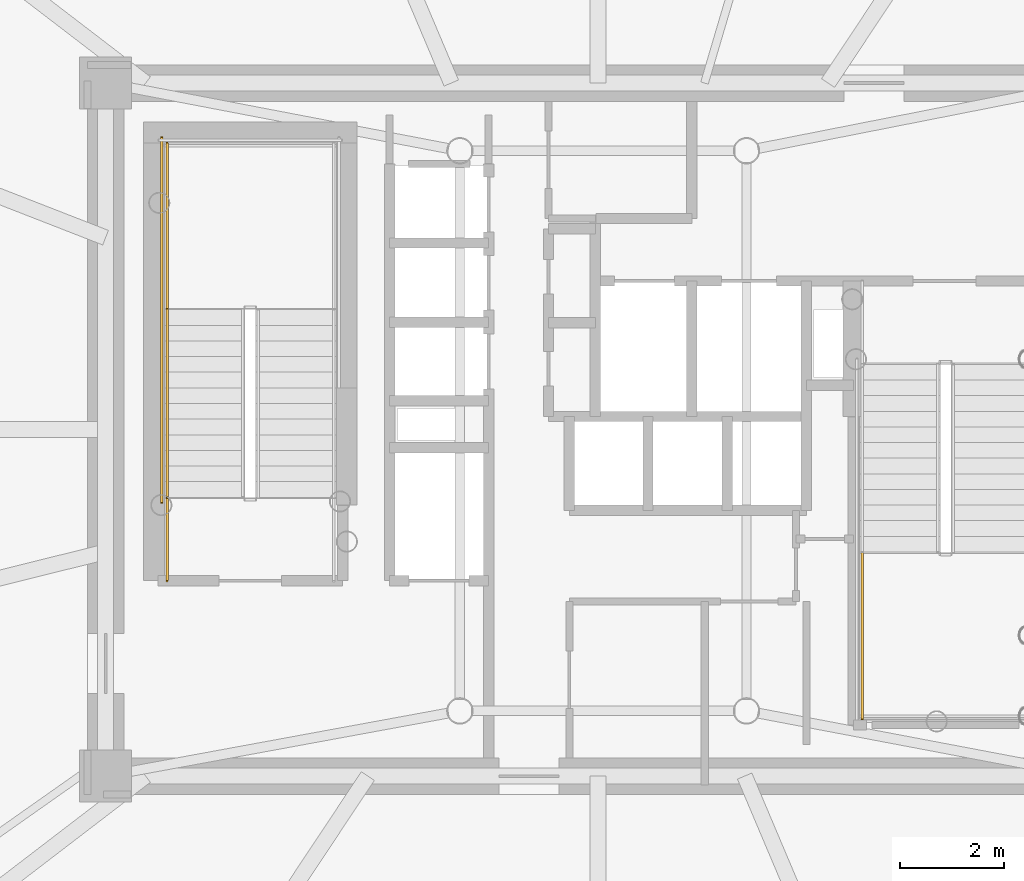
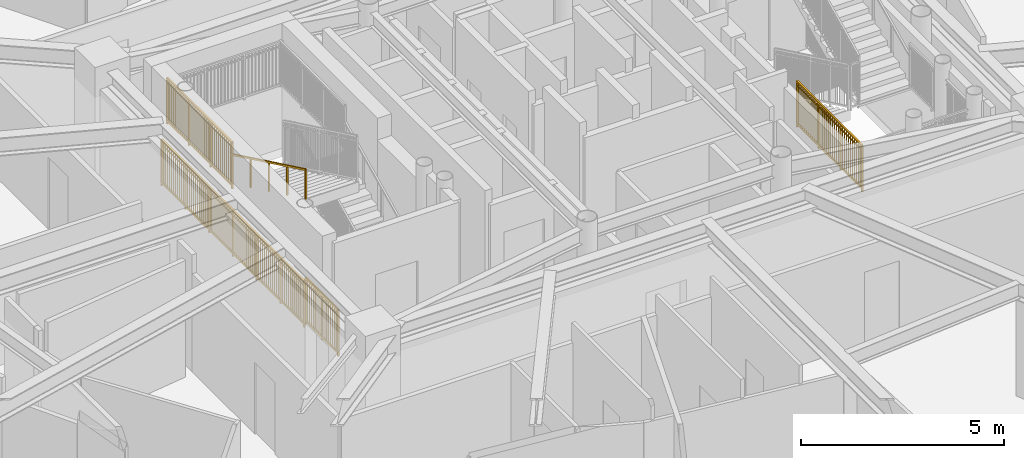
# One storey, part 14 of 19: 5 railings.
"""IFC4 building model written with IfcOpenShell, lengths in metres."""

from ifc_helpers import new_model, si_unit, direction, frame, origin, origin_2d, place, context, subcontext, project, spatial, rectangle, extrude, source, transform, mapped, material, type_object, element, save


model = new_model("IFC4")

# Units and contexts
model_context = context("Model", 3, precision=1e-05, world=origin(), true_north=direction((0.0, 1.0)))
body_context = subcontext(model_context, "Body", "Model", "MODEL_VIEW")
ifc_project = project(units=[si_unit("LENGTHUNIT", "METRE"), si_unit("AREAUNIT", "SQUARE_METRE"), si_unit("VOLUMEUNIT", "CUBIC_METRE"), si_unit("PLANEANGLEUNIT", "RADIAN"), si_unit("MASSUNIT", "GRAM", prefix="KILO")], contexts=[model_context])

# Site, building, storey
site_placement = place(None, origin())
site = spatial("IfcSite", under=ifc_project, at=site_placement, CompositionType="ELEMENT")
building_placement = place(site_placement, origin())
building = spatial("IfcBuilding", under=site, at=building_placement, Name="Linh Dai School and Residence Tower", CompositionType="ELEMENT")
storey_placement = place(building_placement, frame((0.0, 0.0, 236.550048828125)))
storey = spatial("IfcBuildingStorey", under=building, at=storey_placement, Name="L58", CompositionType="ELEMENT", Elevation=236.550048828125)

# Railings
ifc_material_1 = material(Name="Structural Steel S355JR", Category="steel")
railing_type_1 = type_object("IfcRailingType", Name="RL-ST-GUARD-1400", PredefinedType="GUARDRAIL", material=ifc_material_1)
shared_shape_1 = source(origin(), body_context, "Body", "SweptSolid", [
    extrude(rectangle(XDim=0.048095703125, YDim=0.048095703125, at=origin_2d()), frame((0.0, 0.0, 1.3759765625), z_axis=(0.0, 1.0, 0.0), x_axis=(-1.0, 0.0, 0.0)), (0.0, 0.0, 1.0), 1.599853515625),
    extrude(rectangle(XDim=0.048095703125, YDim=0.048095703125, at=origin_2d()), frame((0.0, 0.0, 0.10009765625), z_axis=(0.0, 1.0, 0.0), x_axis=(-1.0, 0.0, 0.0)), (0.0, 0.0, 1.0), 1.599853515625),
    extrude(rectangle(XDim=0.030029296875, YDim=0.030029296875, at=origin_2d()), frame((0.0, 0.0, 1.239990234375), z_axis=(0.0, 1.0, 0.0), x_axis=(-1.0, 0.0, 0.0)), (0.0, 0.0, 1.0), 1.599853515625),
    extrude(rectangle(XDim=0.02001953125, YDim=0.02001953125, at=origin_2d()), frame((0.0, 0.093994140625, 0.10009765625)), (0.0, 0.0, 1.0), 1.251708984375),
    extrude(rectangle(XDim=0.02001953125, YDim=0.02001953125, at=origin_2d()), frame((0.0, 0.188232421875, 0.10009765625)), (0.0, 0.0, 1.0), 1.251708984375),
    extrude(rectangle(XDim=0.02001953125, YDim=0.02001953125, at=origin_2d()), frame((0.0, 0.2822265625, 0.10009765625)), (0.0, 0.0, 1.0), 1.251708984375),
    extrude(rectangle(XDim=0.02001953125, YDim=0.02001953125, at=origin_2d()), frame((0.0, 0.37646484375, 0.10009765625)), (0.0, 0.0, 1.0), 1.251708984375),
    extrude(rectangle(XDim=0.02001953125, YDim=0.02001953125, at=origin_2d()), frame((0.0, 0.470458984375, 0.10009765625)), (0.0, 0.0, 1.0), 1.251708984375),
    extrude(rectangle(XDim=0.02001953125, YDim=0.02001953125, at=origin_2d()), frame((0.0, 0.564697265625, 0.10009765625)), (0.0, 0.0, 1.0), 1.251708984375),
    extrude(rectangle(XDim=0.02001953125, YDim=0.02001953125, at=origin_2d()), frame((0.0, 0.65869140625, 0.10009765625)), (0.0, 0.0, 1.0), 1.251708984375),
    extrude(rectangle(XDim=0.02001953125, YDim=0.02001953125, at=origin_2d()), frame((0.0, 0.7529296875, 0.10009765625)), (0.0, 0.0, 1.0), 1.251708984375),
    extrude(rectangle(XDim=0.02001953125, YDim=0.02001953125, at=origin_2d()), frame((0.0, 0.846923828125, 0.10009765625)), (0.0, 0.0, 1.0), 1.251708984375),
    extrude(rectangle(XDim=0.02001953125, YDim=0.02001953125, at=origin_2d()), frame((0.0, 0.941162109375, 0.10009765625)), (0.0, 0.0, 1.0), 1.251708984375),
    extrude(rectangle(XDim=0.02001953125, YDim=0.02001953125, at=origin_2d()), frame((0.0, 1.03515625, 0.10009765625)), (0.0, 0.0, 1.0), 1.251708984375),
    extrude(rectangle(XDim=0.02001953125, YDim=0.02001953125, at=origin_2d()), frame((0.0, 1.12939453125, 0.10009765625)), (0.0, 0.0, 1.0), 1.251708984375),
    extrude(rectangle(XDim=0.02001953125, YDim=0.02001953125, at=origin_2d()), frame((0.0, 1.223388671875, 0.10009765625)), (0.0, 0.0, 1.0), 1.251708984375),
    extrude(rectangle(XDim=0.02001953125, YDim=0.02001953125, at=origin_2d()), frame((0.0, 1.317626953125, 0.10009765625)), (0.0, 0.0, 1.0), 1.251708984375),
    extrude(rectangle(XDim=0.02001953125, YDim=0.02001953125, at=origin_2d()), frame((0.0, 1.41162109375, 0.10009765625)), (0.0, 0.0, 1.0), 1.251708984375),
    extrude(rectangle(XDim=0.02001953125, YDim=0.02001953125, at=origin_2d()), frame((0.0, 1.505859375, 0.10009765625)), (0.0, 0.0, 1.0), 1.251708984375),
    extrude(rectangle(XDim=0.0419921875, YDim=0.0419921875, at=origin_2d()), origin(), (0.0, 0.0, 1.0), 1.3759765625),
    extrude(rectangle(XDim=0.0419921875, YDim=0.0419921875, at=origin_2d()), frame((0.0, 0.7998046875, 0.0)), (0.0, 0.0, 1.0), 1.3759765625),
    extrude(rectangle(XDim=0.0419921875, YDim=0.0419921875, at=origin_2d()), frame((0.0, 1.599853515625, 0.0)), (0.0, 0.0, 1.0), 1.3759765625),
])
railing_1_placement = place(storey_placement, frame((27.72998046875, 24.10009765625, 0.0)))
element("IfcRailing", 1, at=railing_1_placement, inside=storey, type_object=railing_type_1, Name="L58 ST1 stair guard 9", PredefinedType="GUARDRAIL", context=body_context, shape_type="MappedRepresentation", body=[
    mapped(shared_shape_1, transform((0.0, 0.0, 0.0), x_axis=(1.0, 0.0, 0.0), y_axis=(0.0, 1.0, 0.0), z_axis=(0.0, 0.0, 1.0), scale=1.0)),
])
shared_shape_2 = source(origin(), body_context, "Body", "SweptSolid", [
    extrude(rectangle(XDim=0.048095703125, YDim=0.048095703125, at=origin_2d()), frame((0.0, 0.0, 1.3759765625), z_axis=(0.0, 1.0, 0.0), x_axis=(-1.0, 0.0, 0.0)), (0.0, 0.0, 1.0), 7.0),
    extrude(rectangle(XDim=0.048095703125, YDim=0.048095703125, at=origin_2d()), frame((0.0, 0.0, 0.10009765625), z_axis=(0.0, 1.0, 0.0), x_axis=(-1.0, 0.0, 0.0)), (0.0, 0.0, 1.0), 7.0),
    extrude(rectangle(XDim=0.030029296875, YDim=0.030029296875, at=origin_2d()), frame((0.0, 0.0, 1.239990234375), z_axis=(0.0, 1.0, 0.0), x_axis=(-1.0, 0.0, 0.0)), (0.0, 0.0, 1.0), 7.0),
    extrude(rectangle(XDim=0.02001953125, YDim=0.02001953125, at=origin_2d()), frame((0.0, 0.09716796875, 0.10009765625)), (0.0, 0.0, 1.0), 1.251708984375),
    extrude(rectangle(XDim=0.02001953125, YDim=0.02001953125, at=origin_2d()), frame((0.0, 0.1943359375, 0.10009765625)), (0.0, 0.0, 1.0), 1.251708984375),
    extrude(rectangle(XDim=0.02001953125, YDim=0.02001953125, at=origin_2d()), frame((0.0, 0.291748046875, 0.10009765625)), (0.0, 0.0, 1.0), 1.251708984375),
    extrude(rectangle(XDim=0.02001953125, YDim=0.02001953125, at=origin_2d()), frame((0.0, 0.388916015625, 0.10009765625)), (0.0, 0.0, 1.0), 1.251708984375),
    extrude(rectangle(XDim=0.02001953125, YDim=0.02001953125, at=origin_2d()), frame((0.0, 0.486083984375, 0.10009765625)), (0.0, 0.0, 1.0), 1.251708984375),
    extrude(rectangle(XDim=0.02001953125, YDim=0.02001953125, at=origin_2d()), frame((0.0, 0.583251953125, 0.10009765625)), (0.0, 0.0, 1.0), 1.251708984375),
    extrude(rectangle(XDim=0.02001953125, YDim=0.02001953125, at=origin_2d()), frame((0.0, 0.6806640625, 0.10009765625)), (0.0, 0.0, 1.0), 1.251708984375),
    extrude(rectangle(XDim=0.02001953125, YDim=0.02001953125, at=origin_2d()), frame((0.0, 0.77783203125, 0.10009765625)), (0.0, 0.0, 1.0), 1.251708984375),
    extrude(rectangle(XDim=0.02001953125, YDim=0.02001953125, at=origin_2d()), frame((0.0, 0.875, 0.10009765625)), (0.0, 0.0, 1.0), 1.251708984375),
    extrude(rectangle(XDim=0.02001953125, YDim=0.02001953125, at=origin_2d()), frame((0.0, 0.97216796875, 0.10009765625)), (0.0, 0.0, 1.0), 1.251708984375),
    extrude(rectangle(XDim=0.02001953125, YDim=0.02001953125, at=origin_2d()), frame((0.0, 1.0693359375, 0.10009765625)), (0.0, 0.0, 1.0), 1.251708984375),
    extrude(rectangle(XDim=0.02001953125, YDim=0.02001953125, at=origin_2d()), frame((0.0, 1.263916015625, 0.10009765625)), (0.0, 0.0, 1.0), 1.251708984375),
    extrude(rectangle(XDim=0.02001953125, YDim=0.02001953125, at=origin_2d()), frame((0.0, 1.361083984375, 0.10009765625)), (0.0, 0.0, 1.0), 1.251708984375),
    extrude(rectangle(XDim=0.02001953125, YDim=0.02001953125, at=origin_2d()), frame((0.0, 1.458251953125, 0.10009765625)), (0.0, 0.0, 1.0), 1.251708984375),
    extrude(rectangle(XDim=0.02001953125, YDim=0.02001953125, at=origin_2d()), frame((0.0, 1.5556640625, 0.10009765625)), (0.0, 0.0, 1.0), 1.251708984375),
    extrude(rectangle(XDim=0.02001953125, YDim=0.02001953125, at=origin_2d()), frame((0.0, 1.65283203125, 0.10009765625)), (0.0, 0.0, 1.0), 1.251708984375),
    extrude(rectangle(XDim=0.02001953125, YDim=0.02001953125, at=origin_2d()), frame((0.0, 1.75, 0.10009765625)), (0.0, 0.0, 1.0), 1.251708984375),
    extrude(rectangle(XDim=0.02001953125, YDim=0.02001953125, at=origin_2d()), frame((0.0, 1.84716796875, 0.10009765625)), (0.0, 0.0, 1.0), 1.251708984375),
    extrude(rectangle(XDim=0.02001953125, YDim=0.02001953125, at=origin_2d()), frame((0.0, 1.9443359375, 0.10009765625)), (0.0, 0.0, 1.0), 1.251708984375),
    extrude(rectangle(XDim=0.02001953125, YDim=0.02001953125, at=origin_2d()), frame((0.0, 2.041748046875, 0.10009765625)), (0.0, 0.0, 1.0), 1.251708984375),
    extrude(rectangle(XDim=0.02001953125, YDim=0.02001953125, at=origin_2d()), frame((0.0, 2.138916015625, 0.10009765625)), (0.0, 0.0, 1.0), 1.251708984375),
    extrude(rectangle(XDim=0.02001953125, YDim=0.02001953125, at=origin_2d()), frame((0.0, 2.236083984375, 0.10009765625)), (0.0, 0.0, 1.0), 1.251708984375),
    extrude(rectangle(XDim=0.02001953125, YDim=0.02001953125, at=origin_2d()), frame((0.0, 2.4306640625, 0.10009765625)), (0.0, 0.0, 1.0), 1.251708984375),
    extrude(rectangle(XDim=0.02001953125, YDim=0.02001953125, at=origin_2d()), frame((0.0, 2.52783203125, 0.10009765625)), (0.0, 0.0, 1.0), 1.251708984375),
    extrude(rectangle(XDim=0.02001953125, YDim=0.02001953125, at=origin_2d()), frame((0.0, 2.625, 0.10009765625)), (0.0, 0.0, 1.0), 1.251708984375),
    extrude(rectangle(XDim=0.02001953125, YDim=0.02001953125, at=origin_2d()), frame((0.0, 2.72216796875, 0.10009765625)), (0.0, 0.0, 1.0), 1.251708984375),
    extrude(rectangle(XDim=0.02001953125, YDim=0.02001953125, at=origin_2d()), frame((0.0, 2.8193359375, 0.10009765625)), (0.0, 0.0, 1.0), 1.251708984375),
    extrude(rectangle(XDim=0.02001953125, YDim=0.02001953125, at=origin_2d()), frame((0.0, 2.916748046875, 0.10009765625)), (0.0, 0.0, 1.0), 1.251708984375),
    extrude(rectangle(XDim=0.02001953125, YDim=0.02001953125, at=origin_2d()), frame((0.0, 3.013916015625, 0.10009765625)), (0.0, 0.0, 1.0), 1.251708984375),
    extrude(rectangle(XDim=0.02001953125, YDim=0.02001953125, at=origin_2d()), frame((0.0, 3.111083984375, 0.10009765625)), (0.0, 0.0, 1.0), 1.251708984375),
    extrude(rectangle(XDim=0.02001953125, YDim=0.02001953125, at=origin_2d()), frame((0.0, 3.208251953125, 0.10009765625)), (0.0, 0.0, 1.0), 1.251708984375),
    extrude(rectangle(XDim=0.02001953125, YDim=0.02001953125, at=origin_2d()), frame((0.0, 3.3056640625, 0.10009765625)), (0.0, 0.0, 1.0), 1.251708984375),
    extrude(rectangle(XDim=0.02001953125, YDim=0.02001953125, at=origin_2d()), frame((0.0, 3.40283203125, 0.10009765625)), (0.0, 0.0, 1.0), 1.251708984375),
    extrude(rectangle(XDim=0.02001953125, YDim=0.02001953125, at=origin_2d()), frame((0.0, 3.59716796875, 0.10009765625)), (0.0, 0.0, 1.0), 1.251708984375),
    extrude(rectangle(XDim=0.02001953125, YDim=0.02001953125, at=origin_2d()), frame((0.0, 3.6943359375, 0.10009765625)), (0.0, 0.0, 1.0), 1.251708984375),
    extrude(rectangle(XDim=0.02001953125, YDim=0.02001953125, at=origin_2d()), frame((0.0, 3.791748046875, 0.10009765625)), (0.0, 0.0, 1.0), 1.251708984375),
    extrude(rectangle(XDim=0.02001953125, YDim=0.02001953125, at=origin_2d()), frame((0.0, 3.888916015625, 0.10009765625)), (0.0, 0.0, 1.0), 1.251708984375),
    extrude(rectangle(XDim=0.02001953125, YDim=0.02001953125, at=origin_2d()), frame((0.0, 3.986083984375, 0.10009765625)), (0.0, 0.0, 1.0), 1.251708984375),
    extrude(rectangle(XDim=0.02001953125, YDim=0.02001953125, at=origin_2d()), frame((0.0, 4.083251953125, 0.10009765625)), (0.0, 0.0, 1.0), 1.251708984375),
    extrude(rectangle(XDim=0.02001953125, YDim=0.02001953125, at=origin_2d()), frame((0.0, 4.1806640625, 0.10009765625)), (0.0, 0.0, 1.0), 1.251708984375),
    extrude(rectangle(XDim=0.02001953125, YDim=0.02001953125, at=origin_2d()), frame((0.0, 4.27783203125, 0.10009765625)), (0.0, 0.0, 1.0), 1.251708984375),
    extrude(rectangle(XDim=0.02001953125, YDim=0.02001953125, at=origin_2d()), frame((0.0, 4.375, 0.10009765625)), (0.0, 0.0, 1.0), 1.251708984375),
    extrude(rectangle(XDim=0.02001953125, YDim=0.02001953125, at=origin_2d()), frame((0.0, 4.47216796875, 0.10009765625)), (0.0, 0.0, 1.0), 1.251708984375),
    extrude(rectangle(XDim=0.02001953125, YDim=0.02001953125, at=origin_2d()), frame((0.0, 4.5693359375, 0.10009765625)), (0.0, 0.0, 1.0), 1.251708984375),
    extrude(rectangle(XDim=0.02001953125, YDim=0.02001953125, at=origin_2d()), frame((0.0, 4.763916015625, 0.10009765625)), (0.0, 0.0, 1.0), 1.251708984375),
    extrude(rectangle(XDim=0.02001953125, YDim=0.02001953125, at=origin_2d()), frame((0.0, 4.861083984375, 0.10009765625)), (0.0, 0.0, 1.0), 1.251708984375),
    extrude(rectangle(XDim=0.02001953125, YDim=0.02001953125, at=origin_2d()), frame((0.0, 4.958251953125, 0.10009765625)), (0.0, 0.0, 1.0), 1.251708984375),
    extrude(rectangle(XDim=0.02001953125, YDim=0.02001953125, at=origin_2d()), frame((0.0, 5.0556640625, 0.10009765625)), (0.0, 0.0, 1.0), 1.251708984375),
    extrude(rectangle(XDim=0.02001953125, YDim=0.02001953125, at=origin_2d()), frame((0.0, 5.15283203125, 0.10009765625)), (0.0, 0.0, 1.0), 1.251708984375),
    extrude(rectangle(XDim=0.02001953125, YDim=0.02001953125, at=origin_2d()), frame((0.0, 5.25, 0.10009765625)), (0.0, 0.0, 1.0), 1.251708984375),
    extrude(rectangle(XDim=0.02001953125, YDim=0.02001953125, at=origin_2d()), frame((0.0, 5.34716796875, 0.10009765625)), (0.0, 0.0, 1.0), 1.251708984375),
    extrude(rectangle(XDim=0.02001953125, YDim=0.02001953125, at=origin_2d()), frame((0.0, 5.4443359375, 0.10009765625)), (0.0, 0.0, 1.0), 1.251708984375),
    extrude(rectangle(XDim=0.02001953125, YDim=0.02001953125, at=origin_2d()), frame((0.0, 5.541748046875, 0.10009765625)), (0.0, 0.0, 1.0), 1.251708984375),
    extrude(rectangle(XDim=0.02001953125, YDim=0.02001953125, at=origin_2d()), frame((0.0, 5.638916015625, 0.10009765625)), (0.0, 0.0, 1.0), 1.251708984375),
    extrude(rectangle(XDim=0.02001953125, YDim=0.02001953125, at=origin_2d()), frame((0.0, 5.736083984375, 0.10009765625)), (0.0, 0.0, 1.0), 1.251708984375),
    extrude(rectangle(XDim=0.02001953125, YDim=0.02001953125, at=origin_2d()), frame((0.0, 5.9306640625, 0.10009765625)), (0.0, 0.0, 1.0), 1.251708984375),
    extrude(rectangle(XDim=0.02001953125, YDim=0.02001953125, at=origin_2d()), frame((0.0, 6.02783203125, 0.10009765625)), (0.0, 0.0, 1.0), 1.251708984375),
    extrude(rectangle(XDim=0.02001953125, YDim=0.02001953125, at=origin_2d()), frame((0.0, 6.125, 0.10009765625)), (0.0, 0.0, 1.0), 1.251708984375),
    extrude(rectangle(XDim=0.02001953125, YDim=0.02001953125, at=origin_2d()), frame((0.0, 6.22216796875, 0.10009765625)), (0.0, 0.0, 1.0), 1.251708984375),
    extrude(rectangle(XDim=0.02001953125, YDim=0.02001953125, at=origin_2d()), frame((0.0, 6.3193359375, 0.10009765625)), (0.0, 0.0, 1.0), 1.251708984375),
    extrude(rectangle(XDim=0.02001953125, YDim=0.02001953125, at=origin_2d()), frame((0.0, 6.416748046875, 0.10009765625)), (0.0, 0.0, 1.0), 1.251708984375),
    extrude(rectangle(XDim=0.02001953125, YDim=0.02001953125, at=origin_2d()), frame((0.0, 6.513916015625, 0.10009765625)), (0.0, 0.0, 1.0), 1.251708984375),
    extrude(rectangle(XDim=0.02001953125, YDim=0.02001953125, at=origin_2d()), frame((0.0, 6.611083984375, 0.10009765625)), (0.0, 0.0, 1.0), 1.251708984375),
    extrude(rectangle(XDim=0.02001953125, YDim=0.02001953125, at=origin_2d()), frame((0.0, 6.708251953125, 0.10009765625)), (0.0, 0.0, 1.0), 1.251708984375),
    extrude(rectangle(XDim=0.02001953125, YDim=0.02001953125, at=origin_2d()), frame((0.0, 6.8056640625, 0.10009765625)), (0.0, 0.0, 1.0), 1.251708984375),
    extrude(rectangle(XDim=0.02001953125, YDim=0.02001953125, at=origin_2d()), frame((0.0, 6.90283203125, 0.10009765625)), (0.0, 0.0, 1.0), 1.251708984375),
    extrude(rectangle(XDim=0.0419921875, YDim=0.0419921875, at=origin_2d()), origin(), (0.0, 0.0, 1.0), 1.3759765625),
    extrude(rectangle(XDim=0.0419921875, YDim=0.0419921875, at=origin_2d()), frame((0.0, 1.166748046875, 0.0)), (0.0, 0.0, 1.0), 1.3759765625),
    extrude(rectangle(XDim=0.0419921875, YDim=0.0419921875, at=origin_2d()), frame((0.0, 2.333251953125, 0.0)), (0.0, 0.0, 1.0), 1.3759765625),
    extrude(rectangle(XDim=0.0419921875, YDim=0.0419921875, at=origin_2d()), frame((0.0, 3.5, 0.0)), (0.0, 0.0, 1.0), 1.3759765625),
    extrude(rectangle(XDim=0.0419921875, YDim=0.0419921875, at=origin_2d()), frame((0.0, 4.666748046875, 0.0)), (0.0, 0.0, 1.0), 1.3759765625),
    extrude(rectangle(XDim=0.0419921875, YDim=0.0419921875, at=origin_2d()), frame((0.0, 5.833251953125, 0.0)), (0.0, 0.0, 1.0), 1.3759765625),
    extrude(rectangle(XDim=0.0419921875, YDim=0.0419921875, at=origin_2d()), frame((0.0, 7.0, 0.0)), (0.0, 0.0, 1.0), 1.3759765625),
])
railing_2_placement = place(storey_placement, frame((27.6298828125, 25.60009765625, 0.0)))
element("IfcRailing", 2, at=railing_2_placement, inside=storey, type_object=railing_type_1, Name="L58 ST1 stair guard 11", PredefinedType="GUARDRAIL", context=body_context, shape_type="MappedRepresentation", body=[
    mapped(shared_shape_2, transform((0.0, 0.0, 0.0), x_axis=(1.0, 0.0, 0.0), y_axis=(0.0, 1.0, 0.0), z_axis=(0.0, 0.0, 1.0), scale=1.0)),
])
shared_shape_3 = source(origin(), body_context, "Body", "SweptSolid", [
    extrude(rectangle(XDim=0.048095703125, YDim=0.048095703125, at=origin_2d()), frame((0.0, 0.0, 1.3759765625), z_axis=(0.0, 1.0, 0.0), x_axis=(-1.0, 0.0, 0.0)), (0.0, 0.0, 1.0), 3.199951171875),
    extrude(rectangle(XDim=0.048095703125, YDim=0.048095703125, at=origin_2d()), frame((0.0, 0.0, 0.10009765625), z_axis=(0.0, 1.0, 0.0), x_axis=(-1.0, 0.0, 0.0)), (0.0, 0.0, 1.0), 3.199951171875),
    extrude(rectangle(XDim=0.030029296875, YDim=0.030029296875, at=origin_2d()), frame((0.0, 0.0, 1.239990234375), z_axis=(0.0, 1.0, 0.0), x_axis=(-1.0, 0.0, 0.0)), (0.0, 0.0, 1.0), 3.199951171875),
    extrude(rectangle(XDim=0.02001953125, YDim=0.02001953125, at=origin_2d()), frame((0.0, 0.096923828125, 0.10009765625)), (0.0, 0.0, 1.0), 1.251708984375),
    extrude(rectangle(XDim=0.02001953125, YDim=0.02001953125, at=origin_2d()), frame((0.0, 0.19384765625, 0.10009765625)), (0.0, 0.0, 1.0), 1.251708984375),
    extrude(rectangle(XDim=0.02001953125, YDim=0.02001953125, at=origin_2d()), frame((0.0, 0.291015625, 0.10009765625)), (0.0, 0.0, 1.0), 1.251708984375),
    extrude(rectangle(XDim=0.02001953125, YDim=0.02001953125, at=origin_2d()), frame((0.0, 0.387939453125, 0.10009765625)), (0.0, 0.0, 1.0), 1.251708984375),
    extrude(rectangle(XDim=0.02001953125, YDim=0.02001953125, at=origin_2d()), frame((0.0, 0.48486328125, 0.10009765625)), (0.0, 0.0, 1.0), 1.251708984375),
    extrude(rectangle(XDim=0.02001953125, YDim=0.02001953125, at=origin_2d()), frame((0.0, 0.581787109375, 0.10009765625)), (0.0, 0.0, 1.0), 1.251708984375),
    extrude(rectangle(XDim=0.02001953125, YDim=0.02001953125, at=origin_2d()), frame((0.0, 0.6787109375, 0.10009765625)), (0.0, 0.0, 1.0), 1.251708984375),
    extrude(rectangle(XDim=0.02001953125, YDim=0.02001953125, at=origin_2d()), frame((0.0, 0.775634765625, 0.10009765625)), (0.0, 0.0, 1.0), 1.251708984375),
    extrude(rectangle(XDim=0.02001953125, YDim=0.02001953125, at=origin_2d()), frame((0.0, 0.872802734375, 0.10009765625)), (0.0, 0.0, 1.0), 1.251708984375),
    extrude(rectangle(XDim=0.02001953125, YDim=0.02001953125, at=origin_2d()), frame((0.0, 0.9697265625, 0.10009765625)), (0.0, 0.0, 1.0), 1.251708984375),
    extrude(rectangle(XDim=0.02001953125, YDim=0.02001953125, at=origin_2d()), frame((0.0, 1.16357421875, 0.10009765625)), (0.0, 0.0, 1.0), 1.251708984375),
    extrude(rectangle(XDim=0.02001953125, YDim=0.02001953125, at=origin_2d()), frame((0.0, 1.260498046875, 0.10009765625)), (0.0, 0.0, 1.0), 1.251708984375),
    extrude(rectangle(XDim=0.02001953125, YDim=0.02001953125, at=origin_2d()), frame((0.0, 1.357666015625, 0.10009765625)), (0.0, 0.0, 1.0), 1.251708984375),
    extrude(rectangle(XDim=0.02001953125, YDim=0.02001953125, at=origin_2d()), frame((0.0, 1.45458984375, 0.10009765625)), (0.0, 0.0, 1.0), 1.251708984375),
    extrude(rectangle(XDim=0.02001953125, YDim=0.02001953125, at=origin_2d()), frame((0.0, 1.551513671875, 0.10009765625)), (0.0, 0.0, 1.0), 1.251708984375),
    extrude(rectangle(XDim=0.02001953125, YDim=0.02001953125, at=origin_2d()), frame((0.0, 1.6484375, 0.10009765625)), (0.0, 0.0, 1.0), 1.251708984375),
    extrude(rectangle(XDim=0.02001953125, YDim=0.02001953125, at=origin_2d()), frame((0.0, 1.745361328125, 0.10009765625)), (0.0, 0.0, 1.0), 1.251708984375),
    extrude(rectangle(XDim=0.02001953125, YDim=0.02001953125, at=origin_2d()), frame((0.0, 1.84228515625, 0.10009765625)), (0.0, 0.0, 1.0), 1.251708984375),
    extrude(rectangle(XDim=0.02001953125, YDim=0.02001953125, at=origin_2d()), frame((0.0, 1.939453125, 0.10009765625)), (0.0, 0.0, 1.0), 1.251708984375),
    extrude(rectangle(XDim=0.02001953125, YDim=0.02001953125, at=origin_2d()), frame((0.0, 2.036376953125, 0.10009765625)), (0.0, 0.0, 1.0), 1.251708984375),
    extrude(rectangle(XDim=0.02001953125, YDim=0.02001953125, at=origin_2d()), frame((0.0, 2.230224609375, 0.10009765625)), (0.0, 0.0, 1.0), 1.251708984375),
    extrude(rectangle(XDim=0.02001953125, YDim=0.02001953125, at=origin_2d()), frame((0.0, 2.3271484375, 0.10009765625)), (0.0, 0.0, 1.0), 1.251708984375),
    extrude(rectangle(XDim=0.02001953125, YDim=0.02001953125, at=origin_2d()), frame((0.0, 2.42431640625, 0.10009765625)), (0.0, 0.0, 1.0), 1.251708984375),
    extrude(rectangle(XDim=0.02001953125, YDim=0.02001953125, at=origin_2d()), frame((0.0, 2.521240234375, 0.10009765625)), (0.0, 0.0, 1.0), 1.251708984375),
    extrude(rectangle(XDim=0.02001953125, YDim=0.02001953125, at=origin_2d()), frame((0.0, 2.6181640625, 0.10009765625)), (0.0, 0.0, 1.0), 1.251708984375),
    extrude(rectangle(XDim=0.02001953125, YDim=0.02001953125, at=origin_2d()), frame((0.0, 2.715087890625, 0.10009765625)), (0.0, 0.0, 1.0), 1.251708984375),
    extrude(rectangle(XDim=0.02001953125, YDim=0.02001953125, at=origin_2d()), frame((0.0, 2.81201171875, 0.10009765625)), (0.0, 0.0, 1.0), 1.251708984375),
    extrude(rectangle(XDim=0.02001953125, YDim=0.02001953125, at=origin_2d()), frame((0.0, 2.908935546875, 0.10009765625)), (0.0, 0.0, 1.0), 1.251708984375),
    extrude(rectangle(XDim=0.02001953125, YDim=0.02001953125, at=origin_2d()), frame((0.0, 3.006103515625, 0.10009765625)), (0.0, 0.0, 1.0), 1.251708984375),
    extrude(rectangle(XDim=0.02001953125, YDim=0.02001953125, at=origin_2d()), frame((0.0, 3.10302734375, 0.10009765625)), (0.0, 0.0, 1.0), 1.251708984375),
    extrude(rectangle(XDim=0.0419921875, YDim=0.0419921875, at=origin_2d()), origin(), (0.0, 0.0, 1.0), 1.3759765625),
    extrude(rectangle(XDim=0.0419921875, YDim=0.0419921875, at=origin_2d()), frame((0.0, 1.066650390625, 0.0)), (0.0, 0.0, 1.0), 1.3759765625),
    extrude(rectangle(XDim=0.0419921875, YDim=0.0419921875, at=origin_2d()), frame((0.0, 2.13330078125, 0.0)), (0.0, 0.0, 1.0), 1.3759765625),
    extrude(rectangle(XDim=0.0419921875, YDim=0.0419921875, at=origin_2d()), frame((0.0, 3.199951171875, 0.0)), (0.0, 0.0, 1.0), 1.3759765625),
])
railing_3_placement = place(storey_placement, frame((27.72998046875, 29.300048828125, 1.875)))
element("IfcRailing", 3, at=railing_3_placement, inside=storey, type_object=railing_type_1, Name="L58 ST1 stair guard 4", PredefinedType="GUARDRAIL", context=body_context, shape_type="MappedRepresentation", body=[
    mapped(shared_shape_3, transform((0.0, 0.0, 0.0), x_axis=(1.0, 0.0, 0.0), y_axis=(0.0, 1.0, 0.0), z_axis=(0.0, 0.0, 1.0), scale=1.0)),
])
ifc_material_2 = material(Name="Brushed Stainless Steel Handrail", Category="steel")
railing_type_2 = type_object("IfcRailingType", Name="RL-ST-HANDRAIL-900", PredefinedType="HANDRAIL", material=ifc_material_2)
shared_shape_4 = source(origin(), body_context, "Body", "SweptSolid", [
    extrude(rectangle(XDim=0.048095703125, YDim=0.048095703125, at=origin_2d()), frame((0.0, 0.0, 0.8759765625), z_axis=(0.0, -0.901262522062, 0.433273431364), x_axis=(1.0, 0.0, 0.0)), (0.0, 0.0, 1.0), 3.994384765625),
    extrude(rectangle(XDim=0.0419921875, YDim=0.0419921875, at=origin_2d()), origin(), (0.0, 0.0, 1.0), 0.8759765625),
    extrude(rectangle(XDim=0.0419921875, YDim=0.0419921875, at=origin_2d()), frame((0.0, -0.89990234375, 0.4326171875)), (0.0, 0.0, 1.0), 0.8759765625),
    extrude(rectangle(XDim=0.0419921875, YDim=0.0419921875, at=origin_2d()), frame((0.0, -1.800048828125, 0.865234375)), (0.0, 0.0, 1.0), 0.8759765625),
    extrude(rectangle(XDim=0.0419921875, YDim=0.0419921875, at=origin_2d()), frame((0.0, -2.7001953125, 1.298095703125)), (0.0, 0.0, 1.0), 0.8759765625),
    extrude(rectangle(XDim=0.0419921875, YDim=0.0419921875, at=origin_2d()), frame((0.0, -3.60009765625, 1.730712890625)), (0.0, 0.0, 1.0), 0.8759765625),
])
railing_4_placement = place(storey_placement, frame((27.72998046875, 29.300048828125, 2.019287109375)))
element("IfcRailing", 4, at=railing_4_placement, inside=storey, type_object=railing_type_2, Name="L58 ST1 stair handrail 2", PredefinedType="HANDRAIL", context=body_context, shape_type="MappedRepresentation", body=[
    mapped(shared_shape_4, transform((0.0, 0.0, 0.0), x_axis=(1.0, 0.0, 0.0), y_axis=(0.0, 1.0, 0.0), z_axis=(0.0, 0.0, 1.0), scale=1.0)),
])
shared_shape_5 = source(origin(), body_context, "Body", "SweptSolid", [
    extrude(rectangle(XDim=0.048095703125, YDim=0.048095703125, at=origin_2d()), frame((0.0, 0.0, 1.3759765625), z_axis=(0.0, -1.0, 0.0), x_axis=(1.0, 0.0, 0.0)), (0.0, 0.0, 1.0), 3.199951171875),
    extrude(rectangle(XDim=0.048095703125, YDim=0.048095703125, at=origin_2d()), frame((0.0, 0.0, 0.10009765625), z_axis=(0.0, -1.0, 0.0), x_axis=(1.0, 0.0, 0.0)), (0.0, 0.0, 1.0), 3.199951171875),
    extrude(rectangle(XDim=0.030029296875, YDim=0.030029296875, at=origin_2d()), frame((0.0, 0.0, 1.239990234375), z_axis=(0.0, -1.0, 0.0), x_axis=(1.0, 0.0, 0.0)), (0.0, 0.0, 1.0), 3.199951171875),
    extrude(rectangle(XDim=0.02001953125, YDim=0.02001953125, at=origin_2d()), frame((0.0, -0.096923828125, 0.10009765625)), (0.0, 0.0, 1.0), 1.251708984375),
    extrude(rectangle(XDim=0.02001953125, YDim=0.02001953125, at=origin_2d()), frame((0.0, -0.19384765625, 0.10009765625)), (0.0, 0.0, 1.0), 1.251708984375),
    extrude(rectangle(XDim=0.02001953125, YDim=0.02001953125, at=origin_2d()), frame((0.0, -0.291015625, 0.10009765625)), (0.0, 0.0, 1.0), 1.251708984375),
    extrude(rectangle(XDim=0.02001953125, YDim=0.02001953125, at=origin_2d()), frame((0.0, -0.387939453125, 0.10009765625)), (0.0, 0.0, 1.0), 1.251708984375),
    extrude(rectangle(XDim=0.02001953125, YDim=0.02001953125, at=origin_2d()), frame((0.0, -0.48486328125, 0.10009765625)), (0.0, 0.0, 1.0), 1.251708984375),
    extrude(rectangle(XDim=0.02001953125, YDim=0.02001953125, at=origin_2d()), frame((0.0, -0.581787109375, 0.10009765625)), (0.0, 0.0, 1.0), 1.251708984375),
    extrude(rectangle(XDim=0.02001953125, YDim=0.02001953125, at=origin_2d()), frame((0.0, -0.6787109375, 0.10009765625)), (0.0, 0.0, 1.0), 1.251708984375),
    extrude(rectangle(XDim=0.02001953125, YDim=0.02001953125, at=origin_2d()), frame((0.0, -0.775634765625, 0.10009765625)), (0.0, 0.0, 1.0), 1.251708984375),
    extrude(rectangle(XDim=0.02001953125, YDim=0.02001953125, at=origin_2d()), frame((0.0, -0.872802734375, 0.10009765625)), (0.0, 0.0, 1.0), 1.251708984375),
    extrude(rectangle(XDim=0.02001953125, YDim=0.02001953125, at=origin_2d()), frame((0.0, -0.9697265625, 0.10009765625)), (0.0, 0.0, 1.0), 1.251708984375),
    extrude(rectangle(XDim=0.02001953125, YDim=0.02001953125, at=origin_2d()), frame((0.0, -1.16357421875, 0.10009765625)), (0.0, 0.0, 1.0), 1.251708984375),
    extrude(rectangle(XDim=0.02001953125, YDim=0.02001953125, at=origin_2d()), frame((0.0, -1.260498046875, 0.10009765625)), (0.0, 0.0, 1.0), 1.251708984375),
    extrude(rectangle(XDim=0.02001953125, YDim=0.02001953125, at=origin_2d()), frame((0.0, -1.357666015625, 0.10009765625)), (0.0, 0.0, 1.0), 1.251708984375),
    extrude(rectangle(XDim=0.02001953125, YDim=0.02001953125, at=origin_2d()), frame((0.0, -1.45458984375, 0.10009765625)), (0.0, 0.0, 1.0), 1.251708984375),
    extrude(rectangle(XDim=0.02001953125, YDim=0.02001953125, at=origin_2d()), frame((0.0, -1.551513671875, 0.10009765625)), (0.0, 0.0, 1.0), 1.251708984375),
    extrude(rectangle(XDim=0.02001953125, YDim=0.02001953125, at=origin_2d()), frame((0.0, -1.6484375, 0.10009765625)), (0.0, 0.0, 1.0), 1.251708984375),
    extrude(rectangle(XDim=0.02001953125, YDim=0.02001953125, at=origin_2d()), frame((0.0, -1.745361328125, 0.10009765625)), (0.0, 0.0, 1.0), 1.251708984375),
    extrude(rectangle(XDim=0.02001953125, YDim=0.02001953125, at=origin_2d()), frame((0.0, -1.84228515625, 0.10009765625)), (0.0, 0.0, 1.0), 1.251708984375),
    extrude(rectangle(XDim=0.02001953125, YDim=0.02001953125, at=origin_2d()), frame((0.0, -1.939453125, 0.10009765625)), (0.0, 0.0, 1.0), 1.251708984375),
    extrude(rectangle(XDim=0.02001953125, YDim=0.02001953125, at=origin_2d()), frame((0.0, -2.036376953125, 0.10009765625)), (0.0, 0.0, 1.0), 1.251708984375),
    extrude(rectangle(XDim=0.02001953125, YDim=0.02001953125, at=origin_2d()), frame((0.0, -2.230224609375, 0.10009765625)), (0.0, 0.0, 1.0), 1.251708984375),
    extrude(rectangle(XDim=0.02001953125, YDim=0.02001953125, at=origin_2d()), frame((0.0, -2.3271484375, 0.10009765625)), (0.0, 0.0, 1.0), 1.251708984375),
    extrude(rectangle(XDim=0.02001953125, YDim=0.02001953125, at=origin_2d()), frame((0.0, -2.42431640625, 0.10009765625)), (0.0, 0.0, 1.0), 1.251708984375),
    extrude(rectangle(XDim=0.02001953125, YDim=0.02001953125, at=origin_2d()), frame((0.0, -2.521240234375, 0.10009765625)), (0.0, 0.0, 1.0), 1.251708984375),
    extrude(rectangle(XDim=0.02001953125, YDim=0.02001953125, at=origin_2d()), frame((0.0, -2.6181640625, 0.10009765625)), (0.0, 0.0, 1.0), 1.251708984375),
    extrude(rectangle(XDim=0.02001953125, YDim=0.02001953125, at=origin_2d()), frame((0.0, -2.715087890625, 0.10009765625)), (0.0, 0.0, 1.0), 1.251708984375),
    extrude(rectangle(XDim=0.02001953125, YDim=0.02001953125, at=origin_2d()), frame((0.0, -2.81201171875, 0.10009765625)), (0.0, 0.0, 1.0), 1.251708984375),
    extrude(rectangle(XDim=0.02001953125, YDim=0.02001953125, at=origin_2d()), frame((0.0, -2.908935546875, 0.10009765625)), (0.0, 0.0, 1.0), 1.251708984375),
    extrude(rectangle(XDim=0.02001953125, YDim=0.02001953125, at=origin_2d()), frame((0.0, -3.006103515625, 0.10009765625)), (0.0, 0.0, 1.0), 1.251708984375),
    extrude(rectangle(XDim=0.02001953125, YDim=0.02001953125, at=origin_2d()), frame((0.0, -3.10302734375, 0.10009765625)), (0.0, 0.0, 1.0), 1.251708984375),
    extrude(rectangle(XDim=0.0419921875, YDim=0.0419921875, at=origin_2d()), origin(), (0.0, 0.0, 1.0), 1.3759765625),
    extrude(rectangle(XDim=0.0419921875, YDim=0.0419921875, at=origin_2d()), frame((0.0, -1.066650390625, 0.0)), (0.0, 0.0, 1.0), 1.3759765625),
    extrude(rectangle(XDim=0.0419921875, YDim=0.0419921875, at=origin_2d()), frame((0.0, -2.13330078125, 0.0)), (0.0, 0.0, 1.0), 1.3759765625),
    extrude(rectangle(XDim=0.0419921875, YDim=0.0419921875, at=origin_2d()), frame((0.0, -3.199951171875, 0.0)), (0.0, 0.0, 1.0), 1.3759765625),
])
railing_5_placement = place(storey_placement, frame((41.070068359375, 24.64990234375, 1.875)))
element("IfcRailing", 5, at=railing_5_placement, inside=storey, type_object=railing_type_1, Name="L58 ST2 stair guard 3", PredefinedType="GUARDRAIL", context=body_context, shape_type="MappedRepresentation", body=[
    mapped(shared_shape_5, transform((0.0, 0.0, 0.0), x_axis=(1.0, 0.0, 0.0), y_axis=(0.0, 1.0, 0.0), z_axis=(0.0, 0.0, 1.0), scale=1.0)),
])

save(model, "model.ifc")
